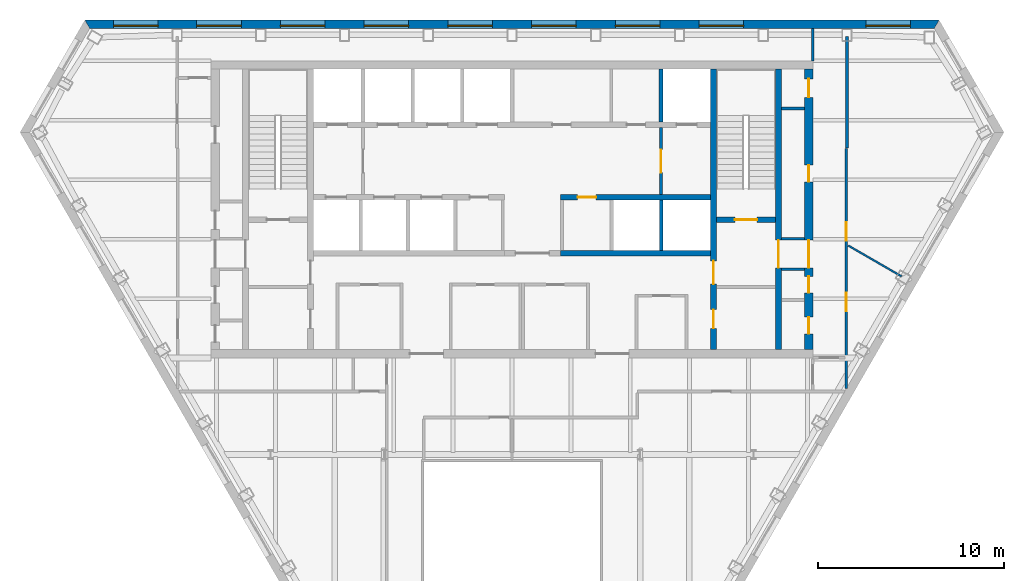
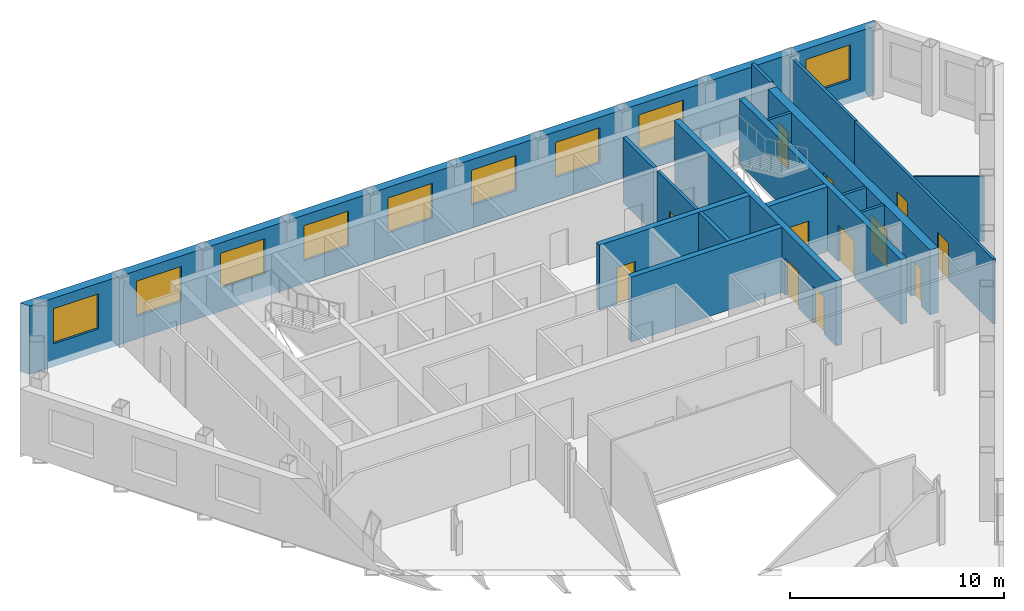
# One storey, part 7 of 11: 17 walls, 13 doors, 9 windows, 22 openings.
"""IFC4 building model written with IfcOpenShell, lengths in metres."""

from ifc_helpers import new_model, si_unit, direction, frame, frame_2d, origin, place, context, subcontext, project, spatial, polyline, rectangle, outline, extrude, material, layer, layer_set, type_object, element, fill, save


model = new_model("IFC4")

# Units and contexts
model_context = context("Model", 3, precision=1e-05, world=origin(), true_north=direction((0.0, 1.0)))
body_context = subcontext(model_context, "Body", "Model", "MODEL_VIEW")
ifc_project = project(units=[si_unit("LENGTHUNIT", "METRE"), si_unit("AREAUNIT", "SQUARE_METRE"), si_unit("VOLUMEUNIT", "CUBIC_METRE"), si_unit("PLANEANGLEUNIT", "RADIAN"), si_unit("MASSUNIT", "GRAM", prefix="KILO")], contexts=[model_context])

# Site, building, storey
site_placement = place(None, origin())
site = spatial("IfcSite", under=ifc_project, at=site_placement, CompositionType="ELEMENT")
building_placement = place(site_placement, origin())
building = spatial("IfcBuilding", under=site, at=building_placement, Name="Njiva Tower", CompositionType="ELEMENT")
storey_placement = place(building_placement, frame((0.0, 0.0, 216.0)))
storey = spatial("IfcBuildingStorey", under=building, at=storey_placement, Name="L48", CompositionType="ELEMENT", Elevation=216.0)

# Wall
ifc_material_1 = material(Name="Blockwork", Category="masonry")
ifc_layer_1 = layer(ifc_material_1, 0.15)
ifc_layer_set_1 = layer_set([ifc_layer_1], Name="Blockwork")
wall_type_1 = type_object("IfcWallType", Name="WT1 Compartment partition 150", PredefinedType="PARTITIONING", material=ifc_layer_set_1)
wall_1_placement = place(storey_placement, frame((14.5, 15.4331, 0.0), z_axis=(0.0, 0.0, 1.0), x_axis=(1.0, 0.0, 0.0)))
element("IfcWall", 1, at=wall_1_placement, inside=storey, type_object=wall_type_1, Name="Partition strip E10", PredefinedType="PARTITIONING", context=body_context, shape_type="SweptSolid", body=[
    extrude(rectangle(XDim=1.25, YDim=0.15, at=frame_2d((0.625, 0.0))), origin(), (0.0, 0.0, 1.0), 3.7),
])

# Wall, openings, doors
ifc_material_2 = material(Name="Concrete C40/50", Category="concrete")
ifc_layer_2 = layer(ifc_material_2, 0.3)
ifc_layer_set_2 = layer_set([ifc_layer_2], Name="Concrete C40/50")
wall_type_2 = type_object("IfcWallType", Name="WT10 Stair enclosure wall 300", PredefinedType="SHEAR", material=ifc_layer_set_2)
wall_2_placement = place(storey_placement, frame((10.85, 2.45, 0.0), z_axis=(0.0, 0.0, 1.0), x_axis=(0.0, 1.0, 0.0)))
wall_2 = element("IfcWall", 2, at=wall_2_placement, inside=storey, type_object=wall_type_2, Name="Stair wall east inner", PredefinedType="SHEAR", context=body_context, shape_type="SweptSolid", body=[
    extrude(rectangle(XDim=15.1, YDim=0.3, at=frame_2d((7.55, 0.0))), origin(), (0.0, 0.0, 1.0), 3.7),
])
opening_1_placement = place(wall_2_placement, frame((3.525, 0.0, 0.0)))
opening_1 = element("IfcOpeningElement", 3, at=opening_1_placement, cuts=wall_2, Name="Opening S16-D919", PredefinedType="OPENING", context=body_context, shape_type="SweptSolid", body=[
    extrude(rectangle(XDim=1.25, YDim=2.1, at=frame_2d((0.625, 1.05))), frame((0.0, 0.16, 0.0), z_axis=(0.0, -1.0, 0.0), x_axis=(1.0, 0.0, 0.0)), (0.0, 0.0, 1.0), 0.32),
])
opening_2_placement = place(wall_2_placement, frame((1.15, 0.0, 0.0)))
opening_2 = element("IfcOpeningElement", 4, at=opening_2_placement, cuts=wall_2, Name="Opening S16-D920", PredefinedType="OPENING", context=body_context, shape_type="SweptSolid", body=[
    extrude(rectangle(XDim=1.0, YDim=2.1, at=frame_2d((0.5, 1.05))), frame((0.0, 0.16, 0.0), z_axis=(0.0, -1.0, 0.0), x_axis=(1.0, 0.0, 0.0)), (0.0, 0.0, 1.0), 0.32),
])
ifc_material_3 = material(Name="Steel door, painted", Category="steel")
door_type_1 = type_object("IfcDoorType", Name="D5 Steel door 1000x2100", OperationType="SINGLE_SWING_LEFT", PredefinedType="DOOR", material=ifc_material_3)
door_1_placement = place(opening_2_placement, origin())
door_1 = element("IfcDoor", 5, at=door_1_placement, inside=storey, type_object=door_type_1, Name="Reading room door", OperationType="SINGLE_SWING_LEFT", OverallHeight=2.1, OverallWidth=1.0, PredefinedType="DOOR", context=body_context, shape_type="SweptSolid", body=[
    extrude(rectangle(XDim=1.0, YDim=2.1, at=frame_2d((0.5, 1.05))), frame((0.0, 0.025, 0.0), z_axis=(0.0, -1.0, 0.0), x_axis=(1.0, 0.0, 0.0)), (0.0, 0.0, 1.0), 0.05),
])
fill(opening_2, door_1)
ifc_material_4 = material(Name="Glazed steel fire door", Category="steel")
door_type_2 = type_object("IfcDoorType", Name="D8 Vestibule corridor door 1250x2100 glazed", OperationType="SINGLE_SWING_LEFT", PredefinedType="DOOR", material=ifc_material_4)
door_2_placement = place(opening_1_placement, origin())
door_2 = element("IfcDoor", 6, at=door_2_placement, inside=storey, type_object=door_type_2, Name="Stair vestibule corridor door", OperationType="SINGLE_SWING_RIGHT", OverallHeight=2.1, OverallWidth=1.25, PredefinedType="DOOR", context=body_context, shape_type="SweptSolid", body=[
    extrude(rectangle(XDim=1.25, YDim=2.1, at=frame_2d((0.625, 1.05))), frame((0.0, 0.025, 0.0), z_axis=(0.0, -1.0, 0.0), x_axis=(1.0, 0.0, 0.0)), (0.0, 0.0, 1.0), 0.05),
])
fill(opening_1, door_2)

# Wall, opening, door
wall_3_placement = place(storey_placement, frame((14.35, 2.45, 0.0), z_axis=(0.0, 0.0, 1.0), x_axis=(0.0, 1.0, 0.0)))
wall_3 = element("IfcWall", 7, at=wall_3_placement, inside=storey, type_object=wall_type_2, Name="Stair wall east outer", PredefinedType="SHEAR", context=body_context, shape_type="SweptSolid", body=[
    extrude(rectangle(XDim=15.1, YDim=0.3, at=frame_2d((7.55, 0.0))), origin(), (0.0, 0.0, 1.0), 3.7),
])
opening_3_placement = place(wall_3_placement, frame((4.4, 0.0, 0.0)))
opening_3 = element("IfcOpeningElement", 8, at=opening_3_placement, cuts=wall_3, Name="Opening S16-D927", PredefinedType="OPENING", context=body_context, shape_type="SweptSolid", body=[
    extrude(rectangle(XDim=1.5, YDim=2.1, at=frame_2d((0.75, 1.05))), frame((0.0, 0.16, 0.0), z_axis=(0.0, -1.0, 0.0), x_axis=(1.0, 0.0, 0.0)), (0.0, 0.0, 1.0), 0.32),
])
door_type_3 = type_object("IfcDoorType", Name="D10 Exit door double 1500x2100 glazed", OperationType="DOUBLE_DOOR_SINGLE_SWING", PredefinedType="DOOR", material=ifc_material_4)
door_3_placement = place(opening_3_placement, origin())
door_3 = element("IfcDoor", 9, at=door_3_placement, inside=storey, type_object=door_type_3, Name="Stair B passage door", OperationType="DOUBLE_DOOR_SINGLE_SWING", OverallHeight=2.1, OverallWidth=1.5, PredefinedType="DOOR", context=body_context, shape_type="SweptSolid", body=[
    extrude(rectangle(XDim=1.5, YDim=2.1, at=frame_2d((0.75, 1.05))), frame((0.0, 0.025, 0.0), z_axis=(0.0, -1.0, 0.0), x_axis=(1.0, 0.0, 0.0)), (0.0, 0.0, 1.0), 0.05),
])
fill(opening_3, door_3)

wall_4_placement = place(storey_placement, frame((11.0, 9.45, 0.0), z_axis=(0.0, 0.0, 1.0), x_axis=(1.0, 0.0, 0.0)))
wall_4 = element("IfcWall", 10, at=wall_4_placement, inside=storey, type_object=wall_type_2, Name="Stair B south wall", PredefinedType="SHEAR", context=body_context, shape_type="SweptSolid", body=[
    extrude(rectangle(XDim=3.2, YDim=0.3, at=frame_2d((1.6, 0.0))), origin(), (0.0, 0.0, 1.0), 3.7),
])
opening_4_placement = place(wall_4_placement, frame((1.0, 0.0, 0.0)))
opening_4 = element("IfcOpeningElement", 11, at=opening_4_placement, cuts=wall_4, Name="Opening S16-D918", PredefinedType="OPENING", context=body_context, shape_type="SweptSolid", body=[
    extrude(rectangle(XDim=1.2, YDim=2.1, at=frame_2d((0.6, 1.05))), frame((0.0, 0.16, 0.0), z_axis=(0.0, -1.0, 0.0), x_axis=(1.0, 0.0, 0.0)), (0.0, 0.0, 1.0), 0.32),
])
door_type_4 = type_object("IfcDoorType", Name="D7 Stair vestibule door 1200x2100 glazed", OperationType="SINGLE_SWING_LEFT", PredefinedType="DOOR", material=ifc_material_4)
door_4_placement = place(opening_4_placement, origin())
door_4 = element("IfcDoor", 12, at=door_4_placement, inside=storey, type_object=door_type_4, Name="Stair B door", OperationType="SINGLE_SWING_LEFT", OverallHeight=2.1, OverallWidth=1.2, PredefinedType="DOOR", context=body_context, shape_type="SweptSolid", body=[
    extrude(rectangle(XDim=1.2, YDim=2.1, at=frame_2d((0.6, 1.05))), frame((0.0, 0.025, 0.0), z_axis=(0.0, -1.0, 0.0), x_axis=(1.0, 0.0, 0.0)), (0.0, 0.0, 1.0), 0.05),
])
fill(opening_4, door_4)

# Wall, openings, doors
ifc_material_5 = material(Name="Concrete C60/75", Category="concrete")
ifc_layer_3 = layer(ifc_material_5, 0.45)
ifc_layer_set_3 = layer_set([ifc_layer_3], Name="Concrete C60/75")
wall_type_3 = type_object("IfcWallType", Name="WT12 Core wall 450", PredefinedType="SHEAR", material=ifc_layer_set_3)
wall_5_placement = place(storey_placement, frame((15.975, 2.45, 0.0), z_axis=(0.0, 0.0, 1.0), x_axis=(0.0, 1.0, 0.0)))
wall_5 = element("IfcWall", 13, at=wall_5_placement, inside=storey, type_object=wall_type_3, Name="Core wall east", PredefinedType="SHEAR", context=body_context, shape_type="SweptSolid", body=[
    extrude(rectangle(XDim=15.1, YDim=0.45, at=frame_2d((7.55, 0.0))), origin(), (0.0, 0.0, 1.0), 3.7),
])
opening_5_placement = place(wall_5_placement, frame((4.4, 0.0, 0.0)))
opening_5 = element("IfcOpeningElement", 14, at=opening_5_placement, cuts=wall_5, Name="Opening S16-D928", PredefinedType="OPENING", context=body_context, shape_type="SweptSolid", body=[
    extrude(rectangle(XDim=1.5, YDim=2.1, at=frame_2d((0.75, 1.05))), frame((0.0, 0.235, 0.0), z_axis=(0.0, -1.0, 0.0), x_axis=(1.0, 0.0, 0.0)), (0.0, 0.0, 1.0), 0.47),
])
opening_6_placement = place(wall_5_placement, frame((0.85, 0.0, 0.0)))
opening_6 = element("IfcOpeningElement", 15, at=opening_6_placement, cuts=wall_5, Name="Opening S16-D929", PredefinedType="OPENING", context=body_context, shape_type="SweptSolid", body=[
    extrude(rectangle(XDim=0.9, YDim=2.1, at=frame_2d((0.45, 1.05))), frame((0.0, 0.235, 0.0), z_axis=(0.0, -1.0, 0.0), x_axis=(1.0, 0.0, 0.0)), (0.0, 0.0, 1.0), 0.47),
])
opening_7_placement = place(wall_5_placement, frame((3.05, 0.0, 0.0)))
opening_7 = element("IfcOpeningElement", 16, at=opening_7_placement, cuts=wall_5, Name="Opening S16-D930", PredefinedType="OPENING", context=body_context, shape_type="SweptSolid", body=[
    extrude(rectangle(XDim=0.9, YDim=2.1, at=frame_2d((0.45, 1.05))), frame((0.0, 0.235, 0.0), z_axis=(0.0, -1.0, 0.0), x_axis=(1.0, 0.0, 0.0)), (0.0, 0.0, 1.0), 0.47),
])
opening_8_placement = place(wall_5_placement, frame((9.0291, 0.0, 0.0)))
opening_8 = element("IfcOpeningElement", 17, at=opening_8_placement, cuts=wall_5, Name="Opening S16-D931", PredefinedType="OPENING", context=body_context, shape_type="SweptSolid", body=[
    extrude(rectangle(XDim=0.9, YDim=2.1, at=frame_2d((0.45, 1.05))), frame((0.0, 0.235, 0.0), z_axis=(0.0, -1.0, 0.0), x_axis=(1.0, 0.0, 0.0)), (0.0, 0.0, 1.0), 0.47),
])
opening_9_placement = place(wall_5_placement, frame((13.5791, 0.0, 0.0)))
opening_9 = element("IfcOpeningElement", 18, at=opening_9_placement, cuts=wall_5, Name="Opening S16-D932", PredefinedType="OPENING", context=body_context, shape_type="SweptSolid", body=[
    extrude(rectangle(XDim=1.0, YDim=2.1, at=frame_2d((0.5, 1.05))), frame((0.0, 0.235, 0.0), z_axis=(0.0, -1.0, 0.0), x_axis=(1.0, 0.0, 0.0)), (0.0, 0.0, 1.0), 0.47),
])
door_5_placement = place(opening_5_placement, origin())
door_5 = element("IfcDoor", 19, at=door_5_placement, inside=storey, type_object=door_type_3, Name="Stair B corridor door", OperationType="DOUBLE_DOOR_SINGLE_SWING", OverallHeight=2.1, OverallWidth=1.5, PredefinedType="DOOR", context=body_context, shape_type="SweptSolid", body=[
    extrude(rectangle(XDim=1.5, YDim=2.1, at=frame_2d((0.75, 1.05))), frame((0.0, 0.025, 0.0), z_axis=(0.0, -1.0, 0.0), x_axis=(1.0, 0.0, 0.0)), (0.0, 0.0, 1.0), 0.05),
])
fill(opening_5, door_5)
door_type_5 = type_object("IfcDoorType", Name="D4 Riser door 900x2100", OperationType="SINGLE_SWING_LEFT", PredefinedType="DOOR", material=ifc_material_3)
door_6_placement = place(opening_7_placement, origin())
door_6 = element("IfcDoor", 20, at=door_6_placement, inside=storey, type_object=door_type_5, Name="Cable riser door", OperationType="SINGLE_SWING_LEFT", OverallHeight=2.1, OverallWidth=0.9, PredefinedType="DOOR", context=body_context, shape_type="SweptSolid", body=[
    extrude(rectangle(XDim=0.9, YDim=2.1, at=frame_2d((0.45, 1.05))), frame((0.0, 0.025, 0.0), z_axis=(0.0, -1.0, 0.0), x_axis=(1.0, 0.0, 0.0)), (0.0, 0.0, 1.0), 0.05),
])
fill(opening_7, door_6)
door_7_placement = place(opening_9_placement, origin())
door_7 = element("IfcDoor", 21, at=door_7_placement, inside=storey, type_object=door_type_1, Name="Telecoms room door", OperationType="SINGLE_SWING_RIGHT", OverallHeight=2.1, OverallWidth=1.0, PredefinedType="DOOR", context=body_context, shape_type="SweptSolid", body=[
    extrude(rectangle(XDim=1.0, YDim=2.1, at=frame_2d((0.5, 1.05))), frame((0.0, 0.025, 0.0), z_axis=(0.0, -1.0, 0.0), x_axis=(1.0, 0.0, 0.0)), (0.0, 0.0, 1.0), 0.05),
])
fill(opening_9, door_7)
ifc_material_6 = material(Name="Steel fire door, painted", Category="steel")
door_type_6 = type_object("IfcDoorType", Name="D6 Fire-rated door 900x2100", OperationType="SINGLE_SWING_LEFT", PredefinedType="DOOR", material=ifc_material_6)
door_8_placement = place(opening_6_placement, origin())
door_8 = element("IfcDoor", 22, at=door_8_placement, inside=storey, type_object=door_type_6, Name="Cable store door", OperationType="SINGLE_SWING_LEFT", OverallHeight=2.1, OverallWidth=0.9, PredefinedType="DOOR", context=body_context, shape_type="SweptSolid", body=[
    extrude(rectangle(XDim=0.9, YDim=2.1, at=frame_2d((0.45, 1.05))), frame((0.0, 0.025, 0.0), z_axis=(0.0, -1.0, 0.0), x_axis=(1.0, 0.0, 0.0)), (0.0, 0.0, 1.0), 0.05),
])
fill(opening_6, door_8)
door_9_placement = place(opening_8_placement, origin())
door_9 = element("IfcDoor", 23, at=door_9_placement, inside=storey, type_object=door_type_6, Name="Cable store door", OperationType="SINGLE_SWING_RIGHT", OverallHeight=2.1, OverallWidth=0.9, PredefinedType="DOOR", context=body_context, shape_type="SweptSolid", body=[
    extrude(rectangle(XDim=0.9, YDim=2.1, at=frame_2d((0.45, 1.05))), frame((0.0, 0.025, 0.0), z_axis=(0.0, -1.0, 0.0), x_axis=(1.0, 0.0, 0.0)), (0.0, 0.0, 1.0), 0.05),
])
fill(opening_8, door_9)

# Wall, opening, door
ifc_layer_4 = layer(ifc_material_1, 0.15)
ifc_layer_set_4 = layer_set([ifc_layer_4], Name="Blockwork")
wall_type_4 = type_object("IfcWallType", Name="WT2 Lobby partition 150", PredefinedType="PARTITIONING", material=ifc_layer_set_4)
wall_6_placement = place(storey_placement, frame((8.025, 10.8, 0.0), z_axis=(0.0, 0.0, 1.0), x_axis=(0.0, 1.0, 0.0)))
wall_6 = element("IfcWall", 24, at=wall_6_placement, inside=storey, type_object=wall_type_4, Name="Firefighting lobby wall B", PredefinedType="PARTITIONING", context=body_context, shape_type="SweptSolid", body=[
    extrude(rectangle(XDim=3.6, YDim=0.15, at=frame_2d((1.8, 0.0))), origin(), (0.0, 0.0, 1.0), 3.7),
])
opening_10_placement = place(wall_6_placement, frame((1.175, 0.0, 0.0)))
opening_10 = element("IfcOpeningElement", 25, at=opening_10_placement, cuts=wall_6, Name="Opening S16-D917", PredefinedType="OPENING", context=body_context, shape_type="SweptSolid", body=[
    extrude(rectangle(XDim=1.25, YDim=2.1, at=frame_2d((0.625, 1.05))), frame((0.0, 0.085, 0.0), z_axis=(0.0, -1.0, 0.0), x_axis=(1.0, 0.0, 0.0)), (0.0, 0.0, 1.0), 0.17),
])
door_10_placement = place(opening_10_placement, origin())
door_10 = element("IfcDoor", 26, at=door_10_placement, inside=storey, type_object=door_type_2, Name="Stair vestibule corridor door", OperationType="SINGLE_SWING_LEFT", OverallHeight=2.1, OverallWidth=1.25, PredefinedType="DOOR", context=body_context, shape_type="SweptSolid", body=[
    extrude(rectangle(XDim=1.25, YDim=2.1, at=frame_2d((0.625, 1.05))), frame((0.0, 0.025, 0.0), z_axis=(0.0, -1.0, 0.0), x_axis=(1.0, 0.0, 0.0)), (0.0, 0.0, 1.0), 0.05),
])
fill(opening_10, door_10)

# Walls
ifc_material_7 = material(Name="Gypsum board on steel studs", Category="gypsum")
ifc_layer_5 = layer(ifc_material_7, 0.1)
ifc_layer_set_5 = layer_set([ifc_layer_5], Name="Gypsum board on steel studs")
wall_type_5 = type_object("IfcWallType", Name="WT20 Gypsum partition 100", PredefinedType="PARTITIONING", material=ifc_layer_set_5)
wall_7_placement = place(storey_placement, frame((18.102, 8.056, 0.0), z_axis=(0.0, 0.0, 1.0), x_axis=(0.865934672737, -0.500157117865, 0.0)))
element("IfcWall", 27, at=wall_7_placement, inside=storey, type_object=wall_type_5, Name="Partition S16-P027", PredefinedType="PARTITIONING", context=body_context, shape_type="SweptSolid", body=[
    extrude(rectangle(XDim=3.319, YDim=0.1, at=frame_2d((1.6595, 0.0))), origin(), (0.0, 0.0, 1.0), 3.7),
])
ifc_layer_6 = layer(ifc_material_7, 0.15)
ifc_layer_set_6 = layer_set([ifc_layer_6], Name="Gypsum board on steel studs")
wall_type_6 = type_object("IfcWallType", Name="WT21 Compartment wall 150", PredefinedType="PARTITIONING", material=ifc_layer_set_6)
wall_8_placement = place(storey_placement, frame((16.2, 18.0, 0.0), z_axis=(0.0, 0.0, 1.0), x_axis=(0.0, 1.0, 0.0)))
element("IfcWall", 28, at=wall_8_placement, inside=storey, type_object=wall_type_6, Name="Partition S16-P024", PredefinedType="PARTITIONING", context=body_context, shape_type="SweptSolid", body=[
    extrude(rectangle(XDim=1.75, YDim=0.15, at=frame_2d((0.875, 0.0))), origin(), (0.0, 0.0, 1.0), 3.7),
])

# Wall, openings, doors
wall_9_placement = place(storey_placement, frame((18.001, 0.343, 0.0), z_axis=(0.0, 0.0, 1.0), x_axis=(7.7291699e-05, 0.999999997013, 0.0)))
wall_9 = element("IfcWall", 29, at=wall_9_placement, inside=storey, type_object=wall_type_6, Name="Partition S16-P025", PredefinedType="PARTITIONING", context=body_context, shape_type="SweptSolid", body=[
    extrude(rectangle(XDim=12.938, YDim=0.15, at=frame_2d((6.469, 0.0))), origin(), (0.0, 0.0, 1.0), 3.7),
])
opening_11_placement = place(wall_9_placement, frame((4.163, 0.0, 0.0)))
opening_11 = element("IfcOpeningElement", 30, at=opening_11_placement, cuts=wall_9, Name="Opening S16-D014", PredefinedType="OPENING", context=body_context, shape_type="SweptSolid", body=[
    extrude(rectangle(XDim=1.0, YDim=2.1, at=frame_2d((0.5, 1.05))), frame((0.0, 0.085, 0.0), z_axis=(0.0, -1.0, 0.0), x_axis=(1.0, 0.0, 0.0)), (0.0, 0.0, 1.0), 0.17),
])
opening_12_placement = place(wall_9_placement, frame((7.973, 0.0, 0.0)))
opening_12 = element("IfcOpeningElement", 31, at=opening_12_placement, cuts=wall_9, Name="Opening S16-D015", PredefinedType="OPENING", context=body_context, shape_type="SweptSolid", body=[
    extrude(rectangle(XDim=1.0, YDim=2.1, at=frame_2d((0.5, 1.05))), frame((0.0, 0.085, 0.0), z_axis=(0.0, -1.0, 0.0), x_axis=(1.0, 0.0, 0.0)), (0.0, 0.0, 1.0), 0.17),
])
ifc_material_8 = material(Name="Steel fire door set", Category="steel")
door_type_7 = type_object("IfcDoorType", Name="D37 Fire door 1000x2100", OperationType="SINGLE_SWING_LEFT", PredefinedType="DOOR", material=ifc_material_8)
door_11_placement = place(opening_11_placement, origin())
door_11 = element("IfcDoor", 32, at=door_11_placement, inside=storey, type_object=door_type_7, Name="Door S16-D014", OperationType="SINGLE_SWING_LEFT", OverallHeight=2.1, OverallWidth=1.0, PredefinedType="DOOR", context=body_context, shape_type="SweptSolid", body=[
    extrude(rectangle(XDim=1.0, YDim=2.1, at=frame_2d((0.5, 1.05))), frame((0.0, 0.025, 0.0), z_axis=(0.0, -1.0, 0.0), x_axis=(1.0, 0.0, 0.0)), (0.0, 0.0, 1.0), 0.05),
])
fill(opening_11, door_11)
door_12_placement = place(opening_12_placement, origin())
door_12 = element("IfcDoor", 33, at=door_12_placement, inside=storey, type_object=door_type_7, Name="Door S16-D015", OperationType="SINGLE_SWING_RIGHT", OverallHeight=2.1, OverallWidth=1.0, PredefinedType="DOOR", context=body_context, shape_type="SweptSolid", body=[
    extrude(rectangle(XDim=1.0, YDim=2.1, at=frame_2d((0.5, 1.05))), frame((0.0, 0.025, 0.0), z_axis=(0.0, -1.0, 0.0), x_axis=(1.0, 0.0, 0.0)), (0.0, 0.0, 1.0), 0.05),
])
fill(opening_12, door_12)

# Walls
wall_10_placement = place(storey_placement, frame((18.034, 13.3, 0.0), z_axis=(0.0, 0.0, 1.0), x_axis=(0.0, 1.0, 0.0)))
element("IfcWall", 34, at=wall_10_placement, inside=storey, type_object=wall_type_6, Name="Partition S16-P026", PredefinedType="PARTITIONING", context=body_context, shape_type="SweptSolid", body=[
    extrude(rectangle(XDim=6.0, YDim=0.15, at=frame_2d((3.0, 0.0))), origin(), (0.0, 0.0, 1.0), 3.7),
])
ifc_layer_7 = layer(ifc_material_1, 0.15)
ifc_layer_set_7 = layer_set([ifc_layer_7], Name="Blockwork")
wall_type_7 = type_object("IfcWallType", Name="WT4 Stair partition 150", PredefinedType="PARTITIONING", material=ifc_layer_set_7)
for number, where, z_axis, x_axis, name in (
    (35, (14.5, 6.775, 0.0), (0.0, 0.0, 1.0), (1.0, 0.0, 0.0), "Stair B exit passage wall south"),
    (36, (14.5, 8.425, 0.0), (0.0, 0.0, 1.0), (1.0, 0.0, 0.0), "Stair B exit passage wall north"),
):
    element("IfcWall", number, at=place(storey_placement, frame(where, z_axis=z_axis, x_axis=x_axis)), inside=storey, type_object=wall_type_7, Name=name, PredefinedType="PARTITIONING", context=body_context, shape_type="SweptSolid", body=[
        extrude(rectangle(XDim=1.25, YDim=0.15, at=frame_2d((0.625, 0.0))), origin(), (0.0, 0.0, 1.0), 3.7),
    ])
ifc_layer_8 = layer(ifc_material_2, 0.2)
ifc_layer_set_8 = layer_set([ifc_layer_8], Name="Concrete C40/50")
wall_type_8 = type_object("IfcWallType", Name="WT6 Lift shaft wall 200", PredefinedType="SHEAR", material=ifc_layer_set_8)
wall_11_placement = place(storey_placement, frame((8.025, 14.7, 0.0), z_axis=(0.0, 0.0, 1.0), x_axis=(0.0, 1.0, 0.0)))
element("IfcWall", 37, at=wall_11_placement, inside=storey, type_object=wall_type_8, Name="Shaft wall CN7", PredefinedType="SHEAR", context=body_context, shape_type="SweptSolid", body=[
    extrude(rectangle(XDim=2.85, YDim=0.2, at=frame_2d((1.425, 0.0))), origin(), (0.0, 0.0, 1.0), 3.7),
])
wall_12_placement = place(storey_placement, frame((8.0333, 7.8, 0.0), z_axis=(0.0, 0.0, 1.0), x_axis=(0.0, 1.0, 0.0)))
element("IfcWall", 38, at=wall_12_placement, inside=storey, type_object=wall_type_8, Name="Shaft wall CS7", PredefinedType="SHEAR", context=body_context, shape_type="SweptSolid", body=[
    extrude(rectangle(XDim=2.7, YDim=0.2, at=frame_2d((1.35, 0.0))), origin(), (0.0, 0.0, 1.0), 3.7),
])

# Wall, opening, door
ifc_layer_9 = layer(ifc_material_2, 0.3)
ifc_layer_set_9 = layer_set([ifc_layer_9], Name="Concrete C40/50")
wall_type_9 = type_object("IfcWallType", Name="WT7 Lift shaft wall 300", PredefinedType="SHEAR", material=ifc_layer_set_9)
wall_13_placement = place(storey_placement, frame((2.6, 10.65, 0.0), z_axis=(0.0, 0.0, 1.0), x_axis=(1.0, 0.0, 0.0)))
wall_13 = element("IfcWall", 39, at=wall_13_placement, inside=storey, type_object=wall_type_9, Name="Shaft wall south row lobby side E", PredefinedType="SHEAR", context=body_context, shape_type="SweptSolid", body=[
    extrude(rectangle(XDim=8.1, YDim=0.3, at=frame_2d((4.05, 0.0))), origin(), (0.0, 0.0, 1.0), 3.7),
])
opening_13_placement = place(wall_13_placement, frame((0.9334, 0.0, 0.0)))
opening_13 = element("IfcOpeningElement", 40, at=opening_13_placement, cuts=wall_13, Name="Opening S16-D912", PredefinedType="OPENING", context=body_context, shape_type="SweptSolid", body=[
    extrude(rectangle(XDim=1.0, YDim=2.1, at=frame_2d((0.5, 1.05))), frame((0.0, 0.16, 0.0), z_axis=(0.0, -1.0, 0.0), x_axis=(1.0, 0.0, 0.0)), (0.0, 0.0, 1.0), 0.32),
])
door_13_placement = place(opening_13_placement, origin())
door_13 = element("IfcDoor", 41, at=door_13_placement, inside=storey, type_object=door_type_1, Name="First aid room door", OperationType="SINGLE_SWING_LEFT", OverallHeight=2.1, OverallWidth=1.0, PredefinedType="DOOR", context=body_context, shape_type="SweptSolid", body=[
    extrude(rectangle(XDim=1.0, YDim=2.1, at=frame_2d((0.5, 1.05))), frame((0.0, 0.025, 0.0), z_axis=(0.0, -1.0, 0.0), x_axis=(1.0, 0.0, 0.0)), (0.0, 0.0, 1.0), 0.05),
])
fill(opening_13, door_13)

# Wall
wall_14_placement = place(storey_placement, frame((2.6, 7.65, 0.0), z_axis=(0.0, 0.0, 1.0), x_axis=(1.0, 0.0, 0.0)))
element("IfcWall", 42, at=wall_14_placement, inside=storey, type_object=wall_type_9, Name="Shaft wall south row back E", PredefinedType="SHEAR", context=body_context, shape_type="SweptSolid", body=[
    extrude(rectangle(XDim=8.1, YDim=0.3, at=frame_2d((4.05, 0.0))), origin(), (0.0, 0.0, 1.0), 3.7),
])

# Wall, openings, windows
ifc_material_9 = material(Name="Brick masonry", Category="masonry")
ifc_layer_10 = layer(ifc_material_9, 0.45)
ifc_layer_set_10 = layer_set([ifc_layer_10], Name="Brick masonry")
wall_type_10 = type_object("IfcWallType", Name="WT90 Brick pier and spandrel wall 450", PredefinedType="SOLIDWALL", material=ifc_layer_set_10)
wall_15_placement = place(storey_placement, frame((22.8751, 19.975, -0.4), z_axis=(0.0, 0.0, 1.0), x_axis=(-1.0, 0.0, 0.0)))
wall_15 = element("IfcWall", 43, at=wall_15_placement, inside=storey, type_object=wall_type_10, Name="Facade wall N", PredefinedType="SOLIDWALL", context=body_context, shape_type="SweptSolid", body=[
    extrude(outline(polyline([(-0.1299, -0.225), (45.8801, -0.225), (45.6203, 0.225), (0.1299, 0.225), (-0.1299, -0.225)])), origin(), (0.0, 0.0, 1.0), 3.9),
])
opening_14_placement = place(wall_15_placement, frame((1.4247, 0.0, 1.3)))
opening_14 = element("IfcOpeningElement", 44, at=opening_14_placement, cuts=wall_15, Name="Opening S16-W01", PredefinedType="OPENING", context=body_context, shape_type="SweptSolid", body=[
    extrude(rectangle(XDim=2.4, YDim=2.0, at=frame_2d((1.2, 1.0))), frame((0.0, 0.235, 0.0), z_axis=(0.0, -1.0, 0.0), x_axis=(1.0, 0.0, 0.0)), (0.0, 0.0, 1.0), 0.47),
])
opening_15_placement = place(wall_15_placement, frame((10.4035, 0.0, 1.3)))
opening_15 = element("IfcOpeningElement", 45, at=opening_15_placement, cuts=wall_15, Name="Opening S16-W02", PredefinedType="OPENING", context=body_context, shape_type="SweptSolid", body=[
    extrude(rectangle(XDim=2.4, YDim=2.0, at=frame_2d((1.2, 1.0))), frame((0.0, 0.235, 0.0), z_axis=(0.0, -1.0, 0.0), x_axis=(1.0, 0.0, 0.0)), (0.0, 0.0, 1.0), 0.47),
])
opening_16_placement = place(wall_15_placement, frame((14.9122, 0.0, 1.3)))
opening_16 = element("IfcOpeningElement", 46, at=opening_16_placement, cuts=wall_15, Name="Opening S16-W03", PredefinedType="OPENING", context=body_context, shape_type="SweptSolid", body=[
    extrude(rectangle(XDim=2.4, YDim=2.0, at=frame_2d((1.2, 1.0))), frame((0.0, 0.235, 0.0), z_axis=(0.0, -1.0, 0.0), x_axis=(1.0, 0.0, 0.0)), (0.0, 0.0, 1.0), 0.47),
])
opening_17_placement = place(wall_15_placement, frame((19.4208, 0.0, 1.3)))
opening_17 = element("IfcOpeningElement", 47, at=opening_17_placement, cuts=wall_15, Name="Opening S16-W04", PredefinedType="OPENING", context=body_context, shape_type="SweptSolid", body=[
    extrude(rectangle(XDim=2.4, YDim=2.0, at=frame_2d((1.2, 1.0))), frame((0.0, 0.235, 0.0), z_axis=(0.0, -1.0, 0.0), x_axis=(1.0, 0.0, 0.0)), (0.0, 0.0, 1.0), 0.47),
])
opening_18_placement = place(wall_15_placement, frame((23.9294, 0.0, 1.3)))
opening_18 = element("IfcOpeningElement", 48, at=opening_18_placement, cuts=wall_15, Name="Opening S16-W05", PredefinedType="OPENING", context=body_context, shape_type="SweptSolid", body=[
    extrude(rectangle(XDim=2.4, YDim=2.0, at=frame_2d((1.2, 1.0))), frame((0.0, 0.235, 0.0), z_axis=(0.0, -1.0, 0.0), x_axis=(1.0, 0.0, 0.0)), (0.0, 0.0, 1.0), 0.47),
])
opening_19_placement = place(wall_15_placement, frame((28.438, 0.0, 1.3)))
opening_19 = element("IfcOpeningElement", 49, at=opening_19_placement, cuts=wall_15, Name="Opening S16-W06", PredefinedType="OPENING", context=body_context, shape_type="SweptSolid", body=[
    extrude(rectangle(XDim=2.4, YDim=2.0, at=frame_2d((1.2, 1.0))), frame((0.0, 0.235, 0.0), z_axis=(0.0, -1.0, 0.0), x_axis=(1.0, 0.0, 0.0)), (0.0, 0.0, 1.0), 0.47),
])
opening_20_placement = place(wall_15_placement, frame((32.9466, 0.0, 1.3)))
opening_20 = element("IfcOpeningElement", 50, at=opening_20_placement, cuts=wall_15, Name="Opening S16-W07", PredefinedType="OPENING", context=body_context, shape_type="SweptSolid", body=[
    extrude(rectangle(XDim=2.4, YDim=2.0, at=frame_2d((1.2, 1.0))), frame((0.0, 0.235, 0.0), z_axis=(0.0, -1.0, 0.0), x_axis=(1.0, 0.0, 0.0)), (0.0, 0.0, 1.0), 0.47),
])
opening_21_placement = place(wall_15_placement, frame((37.4553, 0.0, 1.3)))
opening_21 = element("IfcOpeningElement", 51, at=opening_21_placement, cuts=wall_15, Name="Opening S16-W08", PredefinedType="OPENING", context=body_context, shape_type="SweptSolid", body=[
    extrude(rectangle(XDim=2.4, YDim=2.0, at=frame_2d((1.2, 1.0))), frame((0.0, 0.235, 0.0), z_axis=(0.0, -1.0, 0.0), x_axis=(1.0, 0.0, 0.0)), (0.0, 0.0, 1.0), 0.47),
])
opening_22_placement = place(wall_15_placement, frame((41.9255, 0.0, 1.3)))
opening_22 = element("IfcOpeningElement", 52, at=opening_22_placement, cuts=wall_15, Name="Opening S16-W09", PredefinedType="OPENING", context=body_context, shape_type="SweptSolid", body=[
    extrude(rectangle(XDim=2.4, YDim=2.0, at=frame_2d((1.2, 1.0))), frame((0.0, 0.235, 0.0), z_axis=(0.0, -1.0, 0.0), x_axis=(1.0, 0.0, 0.0)), (0.0, 0.0, 1.0), 0.47),
])
ifc_material_10 = material(Name="Clear glazing in aluminium frame", Category="aluminium")
window_type = type_object("IfcWindowType", Name="W90 Deep-set window 2400x2000", PartitioningType="SINGLE_PANEL", PredefinedType="WINDOW", material=ifc_material_10)
window_1_placement = place(opening_14_placement, origin())
window_1 = element("IfcWindow", 53, at=window_1_placement, inside=storey, type_object=window_type, Name="Window", OverallHeight=2.0, OverallWidth=2.4, PartitioningType="SINGLE_PANEL", PredefinedType="WINDOW", context=body_context, shape_type="SweptSolid", body=[
    extrude(rectangle(XDim=2.4, YDim=2.0, at=frame_2d((1.2, 1.0))), frame((0.0, 0.105, 0.0), z_axis=(0.0, -1.0, 0.0), x_axis=(1.0, 0.0, 0.0)), (0.0, 0.0, 1.0), 0.06),
])
fill(opening_14, window_1)
window_2_placement = place(opening_15_placement, origin())
window_2 = element("IfcWindow", 54, at=window_2_placement, inside=storey, type_object=window_type, Name="Window", OverallHeight=2.0, OverallWidth=2.4, PartitioningType="SINGLE_PANEL", PredefinedType="WINDOW", context=body_context, shape_type="SweptSolid", body=[
    extrude(rectangle(XDim=2.4, YDim=2.0, at=frame_2d((1.2, 1.0))), frame((0.0, 0.105, 0.0), z_axis=(0.0, -1.0, 0.0), x_axis=(1.0, 0.0, 0.0)), (0.0, 0.0, 1.0), 0.06),
])
fill(opening_15, window_2)
window_3_placement = place(opening_16_placement, origin())
window_3 = element("IfcWindow", 55, at=window_3_placement, inside=storey, type_object=window_type, Name="Window", OverallHeight=2.0, OverallWidth=2.4, PartitioningType="SINGLE_PANEL", PredefinedType="WINDOW", context=body_context, shape_type="SweptSolid", body=[
    extrude(rectangle(XDim=2.4, YDim=2.0, at=frame_2d((1.2, 1.0))), frame((0.0, 0.105, 0.0), z_axis=(0.0, -1.0, 0.0), x_axis=(1.0, 0.0, 0.0)), (0.0, 0.0, 1.0), 0.06),
])
fill(opening_16, window_3)
window_4_placement = place(opening_17_placement, origin())
window_4 = element("IfcWindow", 56, at=window_4_placement, inside=storey, type_object=window_type, Name="Window", OverallHeight=2.0, OverallWidth=2.4, PartitioningType="SINGLE_PANEL", PredefinedType="WINDOW", context=body_context, shape_type="SweptSolid", body=[
    extrude(rectangle(XDim=2.4, YDim=2.0, at=frame_2d((1.2, 1.0))), frame((0.0, 0.105, 0.0), z_axis=(0.0, -1.0, 0.0), x_axis=(1.0, 0.0, 0.0)), (0.0, 0.0, 1.0), 0.06),
])
fill(opening_17, window_4)
window_5_placement = place(opening_18_placement, origin())
window_5 = element("IfcWindow", 57, at=window_5_placement, inside=storey, type_object=window_type, Name="Window", OverallHeight=2.0, OverallWidth=2.4, PartitioningType="SINGLE_PANEL", PredefinedType="WINDOW", context=body_context, shape_type="SweptSolid", body=[
    extrude(rectangle(XDim=2.4, YDim=2.0, at=frame_2d((1.2, 1.0))), frame((0.0, 0.105, 0.0), z_axis=(0.0, -1.0, 0.0), x_axis=(1.0, 0.0, 0.0)), (0.0, 0.0, 1.0), 0.06),
])
fill(opening_18, window_5)
window_6_placement = place(opening_19_placement, origin())
window_6 = element("IfcWindow", 58, at=window_6_placement, inside=storey, type_object=window_type, Name="Window", OverallHeight=2.0, OverallWidth=2.4, PartitioningType="SINGLE_PANEL", PredefinedType="WINDOW", context=body_context, shape_type="SweptSolid", body=[
    extrude(rectangle(XDim=2.4, YDim=2.0, at=frame_2d((1.2, 1.0))), frame((0.0, 0.105, 0.0), z_axis=(0.0, -1.0, 0.0), x_axis=(1.0, 0.0, 0.0)), (0.0, 0.0, 1.0), 0.06),
])
fill(opening_19, window_6)
window_7_placement = place(opening_20_placement, origin())
window_7 = element("IfcWindow", 59, at=window_7_placement, inside=storey, type_object=window_type, Name="Window", OverallHeight=2.0, OverallWidth=2.4, PartitioningType="SINGLE_PANEL", PredefinedType="WINDOW", context=body_context, shape_type="SweptSolid", body=[
    extrude(rectangle(XDim=2.4, YDim=2.0, at=frame_2d((1.2, 1.0))), frame((0.0, 0.105, 0.0), z_axis=(0.0, -1.0, 0.0), x_axis=(1.0, 0.0, 0.0)), (0.0, 0.0, 1.0), 0.06),
])
fill(opening_20, window_7)
window_8_placement = place(opening_21_placement, origin())
window_8 = element("IfcWindow", 60, at=window_8_placement, inside=storey, type_object=window_type, Name="Window", OverallHeight=2.0, OverallWidth=2.4, PartitioningType="SINGLE_PANEL", PredefinedType="WINDOW", context=body_context, shape_type="SweptSolid", body=[
    extrude(rectangle(XDim=2.4, YDim=2.0, at=frame_2d((1.2, 1.0))), frame((0.0, 0.105, 0.0), z_axis=(0.0, -1.0, 0.0), x_axis=(1.0, 0.0, 0.0)), (0.0, 0.0, 1.0), 0.06),
])
fill(opening_21, window_8)
window_9_placement = place(opening_22_placement, origin())
window_9 = element("IfcWindow", 61, at=window_9_placement, inside=storey, type_object=window_type, Name="Window", OverallHeight=2.0, OverallWidth=2.4, PartitioningType="SINGLE_PANEL", PredefinedType="WINDOW", context=body_context, shape_type="SweptSolid", body=[
    extrude(rectangle(XDim=2.4, YDim=2.0, at=frame_2d((1.2, 1.0))), frame((0.0, 0.105, 0.0), z_axis=(0.0, -1.0, 0.0), x_axis=(1.0, 0.0, 0.0)), (0.0, 0.0, 1.0), 0.06),
])
fill(opening_22, window_9)

save(model, "model.ifc")
